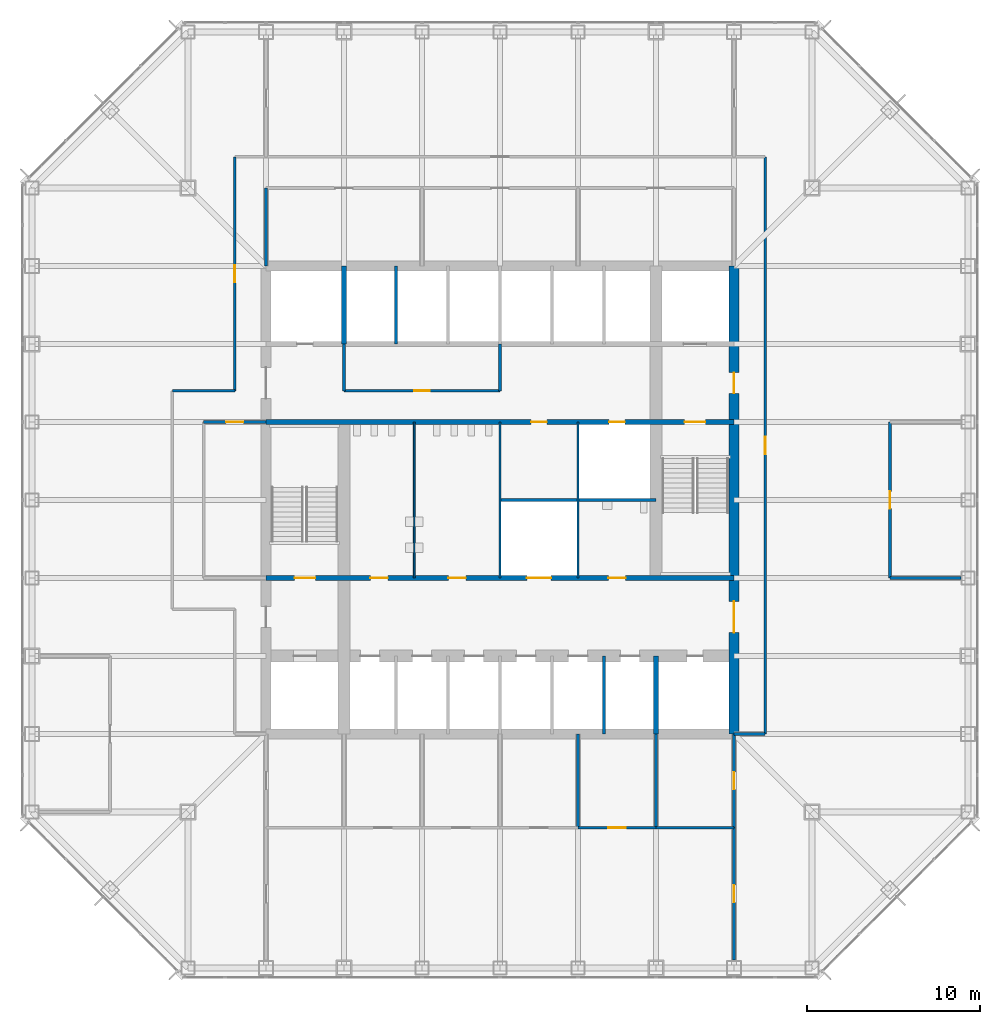
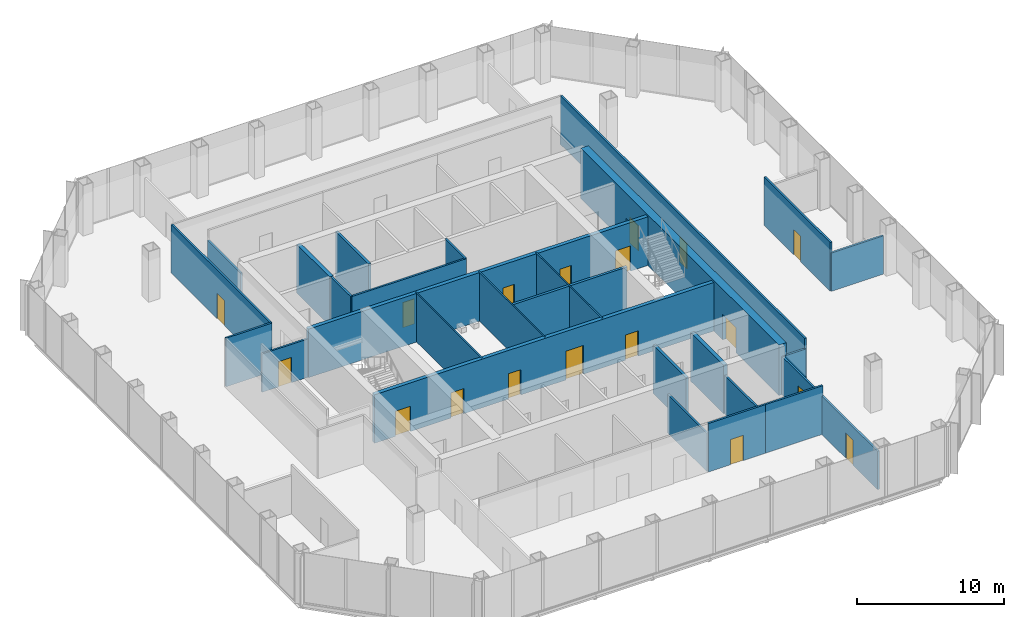
# One storey, part 9 of 12: 28 walls, 18 doors, 18 openings.
"""IFC4 building model written with IfcOpenShell, lengths in metres."""

from ifc_helpers import new_model, si_unit, direction, frame, frame_2d, origin, place, context, subcontext, project, spatial, rectangle, extrude, material, layer, layer_set, type_object, element, fill, save


model = new_model("IFC4")

# Units and contexts
model_context = context("Model", 3, precision=1e-05, world=origin(), true_north=direction((0.0, 1.0)))
body_context = subcontext(model_context, "Body", "Model", "MODEL_VIEW")
ifc_project = project(units=[si_unit("LENGTHUNIT", "METRE"), si_unit("AREAUNIT", "SQUARE_METRE"), si_unit("VOLUMEUNIT", "CUBIC_METRE"), si_unit("PLANEANGLEUNIT", "RADIAN"), si_unit("MASSUNIT", "GRAM", prefix="KILO")], contexts=[model_context])

# Site, building, storey
site_placement = place(None, origin())
site = spatial("IfcSite", under=ifc_project, at=site_placement, CompositionType="ELEMENT")
building_placement = place(site_placement, origin())
building = spatial("IfcBuilding", under=site, at=building_placement, Name="Corais Broadcast Tower", CompositionType="ELEMENT")
storey_placement = place(building_placement, frame((0.0, 0.0, 58.39990234375)))
storey = spatial("IfcBuildingStorey", under=building, at=storey_placement, Name="L12", CompositionType="ELEMENT", Elevation=58.39990234375)

# Walls
ifc_material_1 = material(Name="Concrete blockwork class A, grouted, two-hour", Category="masonry")
ifc_layer_1 = layer(ifc_material_1, 0.300048828125)
ifc_layer_set_1 = layer_set([ifc_layer_1], Name="Concrete blockwork class A, grouted, two-hour")
wall_type_1 = type_object("IfcWallType", Name="Core lobby wall 300", PredefinedType="SOLIDWALL", material=ifc_layer_set_1)
for number, where, z_axis, x_axis, name in (
    (1, (18.0, 36.0, 0.0), (0.0, 0.0, 1.0), (0.0, 1.0, 0.0), "CL1 core shaft wall X18B L12"),
    (2, (36.0, 13.5, 0.0), (0.0, 0.0, 1.0), (0.0, 1.0, 0.0), "CL1 core shaft wall X36A L12"),
):
    element("IfcWall", number, at=place(storey_placement, frame(where, z_axis=z_axis, x_axis=x_axis)), inside=storey, type_object=wall_type_1, Name=name, PredefinedType="SOLIDWALL", context=body_context, shape_type="SweptSolid", body=[
        extrude(rectangle(XDim=4.5, YDim=0.300048828125, at=frame_2d((2.25, 0.0))), origin(), (0.0, 0.0, 1.0), 4.0400390625),
    ])

# Wall, openings, doors
wall_1_placement = place(storey_placement, frame((13.5, 22.5, 0.0), z_axis=(0.0, 0.0, 1.0), x_axis=(1.0, 0.0, 0.0)))
wall_1 = element("IfcWall", 3, at=wall_1_placement, inside=storey, type_object=wall_type_1, Name="CL1 core lobby wall Y225 L12", PredefinedType="SOLIDWALL", context=body_context, shape_type="SweptSolid", body=[
    extrude(rectangle(XDim=27.0, YDim=0.300048828125, at=frame_2d((13.5, 0.0))), origin(), (0.0, 0.0, 1.0), 4.0400390625),
])
opening_1_placement = place(wall_1_placement, frame((1.64990234375, 0.0, 0.0)))
opening_1 = element("IfcOpeningElement", 4, at=opening_1_placement, cuts=wall_1, Name="Opening FD1", PredefinedType="OPENING", context=body_context, shape_type="SweptSolid", body=[
    extrude(rectangle(XDim=1.199951171875, YDim=2.10009765625, at=frame_2d((0.60009765625, 1.050048828125))), frame((0.0, 0.159912109375, 0.0), z_axis=(0.0, -1.0, 0.0), x_axis=(1.0, 0.0, 0.0)), (0.0, 0.0, 1.0), 0.320068359375),
])
opening_2_placement = place(wall_1_placement, frame((6.02490234375, 0.0, 0.0)))
opening_2 = element("IfcOpeningElement", 5, at=opening_2_placement, cuts=wall_1, Name="Opening WD1", PredefinedType="OPENING", context=body_context, shape_type="SweptSolid", body=[
    extrude(rectangle(XDim=1.0, YDim=2.10009765625, at=frame_2d((0.5, 1.050048828125))), frame((0.0, 0.159912109375, 0.0), z_axis=(0.0, -1.0, 0.0), x_axis=(1.0, 0.0, 0.0)), (0.0, 0.0, 1.0), 0.320068359375),
])
opening_3_placement = place(wall_1_placement, frame((10.52490234375, 0.0, 0.0)))
opening_3 = element("IfcOpeningElement", 6, at=opening_3_placement, cuts=wall_1, Name="Opening WD1", PredefinedType="OPENING", context=body_context, shape_type="SweptSolid", body=[
    extrude(rectangle(XDim=1.0, YDim=2.10009765625, at=frame_2d((0.5, 1.050048828125))), frame((0.0, 0.159912109375, 0.0), z_axis=(0.0, -1.0, 0.0), x_axis=(1.0, 0.0, 0.0)), (0.0, 0.0, 1.0), 0.320068359375),
])
opening_4_placement = place(wall_1_placement, frame((19.75, 0.0, 0.0)))
opening_4 = element("IfcOpeningElement", 7, at=opening_4_placement, cuts=wall_1, Name="Opening WD1", PredefinedType="OPENING", context=body_context, shape_type="SweptSolid", body=[
    extrude(rectangle(XDim=1.0, YDim=2.10009765625, at=frame_2d((0.5, 1.050048828125))), frame((0.0, 0.159912109375, 0.0), z_axis=(0.0, -1.0, 0.0), x_axis=(1.0, 0.0, 0.0)), (0.0, 0.0, 1.0), 0.320068359375),
])
opening_5_placement = place(wall_1_placement, frame((15.050048828125, 0.0, 0.0)))
opening_5 = element("IfcOpeningElement", 8, at=opening_5_placement, cuts=wall_1, Name="Opening LD3", PredefinedType="OPENING", context=body_context, shape_type="SweptSolid", body=[
    extrude(rectangle(XDim=1.39990234375, YDim=2.39990234375, at=frame_2d((0.699951171875, 1.199951171875))), frame((0.0, 0.159912109375, 0.0), z_axis=(0.0, -1.0, 0.0), x_axis=(1.0, 0.0, 0.0)), (0.0, 0.0, 1.0), 0.320068359375),
])
ifc_material_2 = material(Name="Steel fire door", Category="steel")
door_type_1 = type_object("IfcDoorType", Name="Fire door 1200x2100", OperationType="SINGLE_SWING_LEFT", PredefinedType="DOOR", material=ifc_material_2)
door_1_placement = place(opening_1_placement, origin())
door_1 = element("IfcDoor", 9, at=door_1_placement, inside=storey, type_object=door_type_1, Name="FD1 stair A door L12", OperationType="SINGLE_SWING_LEFT", OverallHeight=2.10009765625, OverallWidth=1.199951171875, PredefinedType="DOOR", context=body_context, shape_type="SweptSolid", body=[
    extrude(rectangle(XDim=1.199951171875, YDim=2.10009765625, at=frame_2d((0.60009765625, 1.050048828125))), frame((0.0, 0.02490234375, 0.0), z_axis=(0.0, -1.0, 0.0), x_axis=(1.0, 0.0, 0.0)), (0.0, 0.0, 1.0), 0.050048828125),
])
fill(opening_1, door_1)
ifc_material_3 = material(Name="Stainless steel lift door", Category="steel")
door_type_2 = type_object("IfcDoorType", Name="Service lift landing door 1400x2400", OperationType="SLIDING_TO_LEFT", PredefinedType="DOOR", material=ifc_material_3)
door_2_placement = place(opening_5_placement, origin())
door_2 = element("IfcDoor", 10, at=door_2_placement, inside=storey, type_object=door_type_2, Name="LD3 SL1 landing door L12", OperationType="SLIDING_TO_LEFT", OverallHeight=2.39990234375, OverallWidth=1.39990234375, PredefinedType="DOOR", context=body_context, shape_type="SweptSolid", body=[
    extrude(rectangle(XDim=1.39990234375, YDim=2.39990234375, at=frame_2d((0.699951171875, 1.199951171875))), frame((0.0, 0.02490234375, 0.0), z_axis=(0.0, -1.0, 0.0), x_axis=(1.0, 0.0, 0.0)), (0.0, 0.0, 1.0), 0.050048828125),
])
fill(opening_5, door_2)
ifc_material_4 = material(Name="Timber door", Category="wood")
door_type_3 = type_object("IfcDoorType", Name="Toilet door 1000x2100", OperationType="SINGLE_SWING_LEFT", PredefinedType="DOOR", material=ifc_material_4)
door_3_placement = place(opening_2_placement, origin())
door_3 = element("IfcDoor", 11, at=door_3_placement, inside=storey, type_object=door_type_3, Name="WD1 WC male door L12", OperationType="SINGLE_SWING_LEFT", OverallHeight=2.10009765625, OverallWidth=1.0, PredefinedType="DOOR", context=body_context, shape_type="SweptSolid", body=[
    extrude(rectangle(XDim=1.0, YDim=2.10009765625, at=frame_2d((0.5, 1.050048828125))), frame((0.0, 0.02490234375, 0.0), z_axis=(0.0, -1.0, 0.0), x_axis=(1.0, 0.0, 0.0)), (0.0, 0.0, 1.0), 0.050048828125),
])
fill(opening_2, door_3)
door_4_placement = place(opening_3_placement, origin())
door_4 = element("IfcDoor", 12, at=door_4_placement, inside=storey, type_object=door_type_3, Name="WD1 WC female door L12", OperationType="SINGLE_SWING_LEFT", OverallHeight=2.10009765625, OverallWidth=1.0, PredefinedType="DOOR", context=body_context, shape_type="SweptSolid", body=[
    extrude(rectangle(XDim=1.0, YDim=2.10009765625, at=frame_2d((0.5, 1.050048828125))), frame((0.0, 0.02490234375, 0.0), z_axis=(0.0, -1.0, 0.0), x_axis=(1.0, 0.0, 0.0)), (0.0, 0.0, 1.0), 0.050048828125),
])
fill(opening_3, door_4)
door_5_placement = place(opening_4_placement, origin())
door_5 = element("IfcDoor", 13, at=door_5_placement, inside=storey, type_object=door_type_3, Name="WD1 accessible WC door L12", OperationType="SINGLE_SWING_RIGHT", OverallHeight=2.10009765625, OverallWidth=1.0, PredefinedType="DOOR", context=body_context, shape_type="SweptSolid", body=[
    extrude(rectangle(XDim=1.0, YDim=2.10009765625, at=frame_2d((0.5, 1.050048828125))), frame((0.0, 0.02490234375, 0.0), z_axis=(0.0, -1.0, 0.0), x_axis=(1.0, 0.0, 0.0)), (0.0, 0.0, 1.0), 0.050048828125),
])
fill(opening_4, door_5)

wall_2_placement = place(storey_placement, frame((13.5, 31.5, 0.0), z_axis=(0.0, 0.0, 1.0), x_axis=(1.0, 0.0, 0.0)))
wall_2 = element("IfcWall", 14, at=wall_2_placement, inside=storey, type_object=wall_type_1, Name="CL1 core lobby wall Y315 L12", PredefinedType="SOLIDWALL", context=body_context, shape_type="SweptSolid", body=[
    extrude(rectangle(XDim=27.0, YDim=0.300048828125, at=frame_2d((13.5, 0.0))), origin(), (0.0, 0.0, 1.0), 4.0400390625),
])
opening_6_placement = place(wall_2_placement, frame((24.14990234375, 0.0, 0.0)))
opening_6 = element("IfcOpeningElement", 15, at=opening_6_placement, cuts=wall_2, Name="Opening FD1", PredefinedType="OPENING", context=body_context, shape_type="SweptSolid", body=[
    extrude(rectangle(XDim=1.199951171875, YDim=2.10009765625, at=frame_2d((0.60009765625, 1.050048828125))), frame((0.0, 0.159912109375, 0.0), z_axis=(0.0, -1.0, 0.0), x_axis=(1.0, 0.0, 0.0)), (0.0, 0.0, 1.0), 0.320068359375),
])
opening_7_placement = place(wall_2_placement, frame((15.300048828125, 0.0, 0.0)))
opening_7 = element("IfcOpeningElement", 16, at=opening_7_placement, cuts=wall_2, Name="Opening RD1", PredefinedType="OPENING", context=body_context, shape_type="SweptSolid", body=[
    extrude(rectangle(XDim=0.89990234375, YDim=2.10009765625, at=frame_2d((0.449951171875, 1.050048828125))), frame((0.0, 0.159912109375, 0.0), z_axis=(0.0, -1.0, 0.0), x_axis=(1.0, 0.0, 0.0)), (0.0, 0.0, 1.0), 0.320068359375),
])
opening_8_placement = place(wall_2_placement, frame((19.800048828125, 0.0, 0.0)))
opening_8 = element("IfcOpeningElement", 17, at=opening_8_placement, cuts=wall_2, Name="Opening RD1", PredefinedType="OPENING", context=body_context, shape_type="SweptSolid", body=[
    extrude(rectangle(XDim=0.89990234375, YDim=2.10009765625, at=frame_2d((0.449951171875, 1.050048828125))), frame((0.0, 0.159912109375, 0.0), z_axis=(0.0, -1.0, 0.0), x_axis=(1.0, 0.0, 0.0)), (0.0, 0.0, 1.0), 0.320068359375),
])
door_6_placement = place(opening_6_placement, origin())
door_6 = element("IfcDoor", 18, at=door_6_placement, inside=storey, type_object=door_type_1, Name="FD1 stair B door L12", OperationType="SINGLE_SWING_RIGHT", OverallHeight=2.10009765625, OverallWidth=1.199951171875, PredefinedType="DOOR", context=body_context, shape_type="SweptSolid", body=[
    extrude(rectangle(XDim=1.199951171875, YDim=2.10009765625, at=frame_2d((0.60009765625, 1.050048828125))), frame((0.0, 0.02490234375, 0.0), z_axis=(0.0, -1.0, 0.0), x_axis=(1.0, 0.0, 0.0)), (0.0, 0.0, 1.0), 0.050048828125),
])
fill(opening_6, door_6)
ifc_material_5 = material(Name="Steel fire door", Category="steel")
door_type_4 = type_object("IfcDoorType", Name="Riser door 900x2100", OperationType="SINGLE_SWING_LEFT", PredefinedType="DOOR", material=ifc_material_5)
door_7_placement = place(opening_7_placement, origin())
door_7 = element("IfcDoor", 19, at=door_7_placement, inside=storey, type_object=door_type_4, Name="RD1 print room door L12", OperationType="SINGLE_SWING_RIGHT", OverallHeight=2.10009765625, OverallWidth=0.89990234375, PredefinedType="DOOR", context=body_context, shape_type="SweptSolid", body=[
    extrude(rectangle(XDim=0.89990234375, YDim=2.10009765625, at=frame_2d((0.449951171875, 1.050048828125))), frame((0.0, 0.02490234375, 0.0), z_axis=(0.0, -1.0, 0.0), x_axis=(1.0, 0.0, 0.0)), (0.0, 0.0, 1.0), 0.050048828125),
])
fill(opening_7, door_7)
door_8_placement = place(opening_8_placement, origin())
door_8 = element("IfcDoor", 20, at=door_8_placement, inside=storey, type_object=door_type_4, Name="RD1 riser door L12", OperationType="SINGLE_SWING_RIGHT", OverallHeight=2.10009765625, OverallWidth=0.89990234375, PredefinedType="DOOR", context=body_context, shape_type="SweptSolid", body=[
    extrude(rectangle(XDim=0.89990234375, YDim=2.10009765625, at=frame_2d((0.449951171875, 1.050048828125))), frame((0.0, 0.02490234375, 0.0), z_axis=(0.0, -1.0, 0.0), x_axis=(1.0, 0.0, 0.0)), (0.0, 0.0, 1.0), 0.050048828125),
])
fill(opening_8, door_8)

ifc_material_6 = material(Name="Concrete C50/60", Category="concrete")
ifc_layer_2 = layer(ifc_material_6, 0.60009765625)
ifc_layer_set_2 = layer_set([ifc_layer_2], Name="Concrete C50/60")
wall_type_2 = type_object("IfcWallType", Name="Core wall 600", PredefinedType="SHEAR", material=ifc_layer_set_2)
wall_3_placement = place(storey_placement, frame((40.5, 13.5, 0.0), z_axis=(0.0, 0.0, 1.0), x_axis=(0.0, 1.0, 0.0)))
wall_3 = element("IfcWall", 21, at=wall_3_placement, inside=storey, type_object=wall_type_2, Name="CR600 core wall E L12", PredefinedType="SHEAR", context=body_context, shape_type="SweptSolid", body=[
    extrude(rectangle(XDim=27.0, YDim=0.60009765625, at=frame_2d((13.5, 0.0))), origin(), (0.0, 0.0, 1.0), 4.2001953125),
])
opening_9_placement = place(wall_3_placement, frame((5.85009765625, 0.0, 0.0)))
opening_9 = element("IfcOpeningElement", 22, at=opening_9_placement, cuts=wall_3, Name="Opening FD2", PredefinedType="OPENING", context=body_context, shape_type="SweptSolid", body=[
    extrude(rectangle(XDim=1.800048828125, YDim=2.10009765625, at=frame_2d((0.89990234375, 1.050048828125))), frame((0.0, 0.31005859375, 0.0), z_axis=(0.0, -1.0, 0.0), x_axis=(1.0, 0.0, 0.0)), (0.0, 0.0, 1.0), 0.6201171875),
])
opening_10_placement = place(wall_3_placement, frame((19.64990234375, 0.0, 0.0)))
opening_10 = element("IfcOpeningElement", 23, at=opening_10_placement, cuts=wall_3, Name="Opening FD1", PredefinedType="OPENING", context=body_context, shape_type="SweptSolid", body=[
    extrude(rectangle(XDim=1.199951171875, YDim=2.10009765625, at=frame_2d((0.60009765625, 1.050048828125))), frame((0.0, 0.31005859375, 0.0), z_axis=(0.0, -1.0, 0.0), x_axis=(1.0, 0.0, 0.0)), (0.0, 0.0, 1.0), 0.6201171875),
])
door_9_placement = place(opening_10_placement, origin())
door_9 = element("IfcDoor", 24, at=door_9_placement, inside=storey, type_object=door_type_1, Name="FD1 fire lobby B door L12", OperationType="SINGLE_SWING_RIGHT", OverallHeight=2.10009765625, OverallWidth=1.199951171875, PredefinedType="DOOR", context=body_context, shape_type="SweptSolid", body=[
    extrude(rectangle(XDim=1.199951171875, YDim=2.10009765625, at=frame_2d((0.60009765625, 1.050048828125))), frame((0.0, 0.02490234375, 0.0), z_axis=(0.0, -1.0, 0.0), x_axis=(1.0, 0.0, 0.0)), (0.0, 0.0, 1.0), 0.050048828125),
])
fill(opening_10, door_9)
ifc_material_7 = material(Name="Steel fire door", Category="steel")
door_type_5 = type_object("IfcDoorType", Name="Fire door pair 1800x2100", OperationType="DOUBLE_DOOR_SINGLE_SWING", PredefinedType="DOOR", material=ifc_material_7)
door_10_placement = place(opening_9_placement, origin())
door_10 = element("IfcDoor", 25, at=door_10_placement, inside=storey, type_object=door_type_5, Name="FD2 lift lobby door L12", OperationType="SINGLE_SWING_LEFT", OverallHeight=2.10009765625, OverallWidth=1.800048828125, PredefinedType="DOOR", context=body_context, shape_type="SweptSolid", body=[
    extrude(rectangle(XDim=1.800048828125, YDim=2.10009765625, at=frame_2d((0.89990234375, 1.050048828125))), frame((0.0, 0.02490234375, 0.0), z_axis=(0.0, -1.0, 0.0), x_axis=(1.0, 0.0, 0.0)), (0.0, 0.0, 1.0), 0.050048828125),
])
fill(opening_9, door_10)

# Wall, opening, door
ifc_material_8 = material(Name="Two layers of fire-rated gypsum board each side on steel studs", Category="steel")
ifc_layer_3 = layer(ifc_material_8, 0.14990234375)
ifc_layer_set_3 = layer_set([ifc_layer_3], Name="Two layers of fire-rated gypsum board each side on steel studs")
wall_type_3 = type_object("IfcWallType", Name="Fire-rated partition 150 EI 60", PredefinedType="PARTITIONING", material=ifc_layer_set_3)
wall_4_placement = place(storey_placement, frame((18.0, 33.300048828125, 0.0), z_axis=(0.0, 0.0, 1.0), x_axis=(1.0, 0.0, 0.0)))
wall_4 = element("IfcWall", 26, at=wall_4_placement, inside=storey, type_object=wall_type_3, Name="IW7 partition L12", PredefinedType="PARTITIONING", context=body_context, shape_type="SweptSolid", body=[
    extrude(rectangle(XDim=9.0, YDim=0.14990234375, at=frame_2d((4.5, 0.0))), origin(), (0.0, 0.0, 1.0), 4.0400390625),
])
opening_11_placement = place(wall_4_placement, frame((4.050048828125, 0.0, 0.0)))
opening_11 = element("IfcOpeningElement", 27, at=opening_11_placement, cuts=wall_4, Name="Opening RD1", PredefinedType="OPENING", context=body_context, shape_type="SweptSolid", body=[
    extrude(rectangle(XDim=0.89990234375, YDim=2.10009765625, at=frame_2d((0.449951171875, 1.050048828125))), frame((0.0, 0.0849609375, 0.0), z_axis=(0.0, -1.0, 0.0), x_axis=(1.0, 0.0, 0.0)), (0.0, 0.0, 1.0), 0.169921875),
])
door_11_placement = place(opening_11_placement, origin())
door_11 = element("IfcDoor", 28, at=door_11_placement, inside=storey, type_object=door_type_4, Name="RD1 it equipment room door L12", OperationType="SINGLE_SWING_LEFT", OverallHeight=2.10009765625, OverallWidth=0.89990234375, PredefinedType="DOOR", context=body_context, shape_type="SweptSolid", body=[
    extrude(rectangle(XDim=0.89990234375, YDim=2.10009765625, at=frame_2d((0.449951171875, 1.050048828125))), frame((0.0, 0.02490234375, 0.0), z_axis=(0.0, -1.0, 0.0), x_axis=(1.0, 0.0, 0.0)), (0.0, 0.0, 1.0), 0.050048828125),
])
fill(opening_11, door_11)

# Walls
for number, where, z_axis, x_axis, name in (
    (29, (18.0, 33.300048828125, 0.0), (0.0, 0.0, 1.0), (0.0, 1.0, 0.0), "IW7 partition L12"),
    (30, (27.0, 33.300048828125, 0.0), (0.0, 0.0, 1.0), (0.0, 1.0, 0.0), "IW7 partition L12"),
):
    element("IfcWall", number, at=place(storey_placement, frame(where, z_axis=z_axis, x_axis=x_axis)), inside=storey, type_object=wall_type_3, Name=name, PredefinedType="PARTITIONING", context=body_context, shape_type="SweptSolid", body=[
        extrude(rectangle(XDim=2.699951171875, YDim=0.14990234375, at=frame_2d((1.35009765625, 0.0))), origin(), (0.0, 0.0, 1.0), 4.0400390625),
    ])

# Wall, opening, door
ifc_material_9 = material(Name="Gypsum board on steel studs", Category="steel")
ifc_layer_4 = layer(ifc_material_9, 0.14990234375)
ifc_layer_set_4 = layer_set([ifc_layer_4], Name="Gypsum board on steel studs")
wall_type_4 = type_object("IfcWallType", Name="Partition 150", PredefinedType="PARTITIONING", material=ifc_layer_set_4)
wall_5_placement = place(storey_placement, frame((42.300048828125, 13.5, 0.0), z_axis=(0.0, 0.0, 1.0), x_axis=(0.0, 1.0, 0.0)))
wall_5 = element("IfcWall", 31, at=wall_5_placement, inside=storey, type_object=wall_type_4, Name="IW3 corridor wall L12", PredefinedType="PARTITIONING", context=body_context, shape_type="SweptSolid", body=[
    extrude(rectangle(XDim=33.300048828125, YDim=0.14990234375, at=frame_2d((16.64990234375, 0.0))), origin(), (0.0, 0.0, 1.0), 4.0400390625),
])
opening_12_placement = place(wall_5_placement, frame((16.14990234375, 0.0, 0.0)))
opening_12 = element("IfcOpeningElement", 32, at=opening_12_placement, cuts=wall_5, Name="Opening D1", PredefinedType="OPENING", context=body_context, shape_type="SweptSolid", body=[
    extrude(rectangle(XDim=1.0, YDim=2.10009765625, at=frame_2d((0.5, 1.050048828125))), frame((0.0, 0.0849609375, 0.0), z_axis=(0.0, -1.0, 0.0), x_axis=(1.0, 0.0, 0.0)), (0.0, 0.0, 1.0), 0.169921875),
])
ifc_material_10 = material(Name="Timber door", Category="wood")
door_type_6 = type_object("IfcDoorType", Name="Single door 1000x2100", OperationType="SINGLE_SWING_LEFT", PredefinedType="DOOR", material=ifc_material_10)
door_12_placement = place(opening_12_placement, origin())
door_12 = element("IfcDoor", 33, at=door_12_placement, inside=storey, type_object=door_type_6, Name="D1 workplace door L12", OperationType="SINGLE_SWING_LEFT", OverallHeight=2.10009765625, OverallWidth=1.0, PredefinedType="DOOR", context=body_context, shape_type="SweptSolid", body=[
    extrude(rectangle(XDim=1.0, YDim=2.10009765625, at=frame_2d((0.5, 1.050048828125))), frame((0.0, 0.02490234375, 0.0), z_axis=(0.0, -1.0, 0.0), x_axis=(1.0, 0.0, 0.0)), (0.0, 0.0, 1.0), 0.050048828125),
])
fill(opening_12, door_12)

wall_6_placement = place(storey_placement, frame((11.699951171875, 46.800048828125, 0.0), z_axis=(0.0, 0.0, 1.0), x_axis=(0.0, -1.0, 0.0)))
wall_6 = element("IfcWall", 34, at=wall_6_placement, inside=storey, type_object=wall_type_4, Name="IW3 corridor wall L12", PredefinedType="PARTITIONING", context=body_context, shape_type="SweptSolid", body=[
    extrude(rectangle(XDim=13.5, YDim=0.14990234375, at=frame_2d((6.75, 0.0))), origin(), (0.0, 0.0, 1.0), 4.0400390625),
])
opening_13_placement = place(wall_6_placement, frame((6.25, 0.0, 0.0)))
opening_13 = element("IfcOpeningElement", 35, at=opening_13_placement, cuts=wall_6, Name="Opening D1", PredefinedType="OPENING", context=body_context, shape_type="SweptSolid", body=[
    extrude(rectangle(XDim=1.0, YDim=2.10009765625, at=frame_2d((0.5, 1.050048828125))), frame((0.0, 0.0849609375, 0.0), z_axis=(0.0, -1.0, 0.0), x_axis=(1.0, 0.0, 0.0)), (0.0, 0.0, 1.0), 0.169921875),
])
door_13_placement = place(opening_13_placement, origin())
door_13 = element("IfcDoor", 36, at=door_13_placement, inside=storey, type_object=door_type_6, Name="D1 workplace door L12", OperationType="SINGLE_SWING_LEFT", OverallHeight=2.10009765625, OverallWidth=1.0, PredefinedType="DOOR", context=body_context, shape_type="SweptSolid", body=[
    extrude(rectangle(XDim=1.0, YDim=2.10009765625, at=frame_2d((0.5, 1.050048828125))), frame((0.0, 0.02490234375, 0.0), z_axis=(0.0, -1.0, 0.0), x_axis=(1.0, 0.0, 0.0)), (0.0, 0.0, 1.0), 0.050048828125),
])
fill(opening_13, door_13)

# Walls
wall_7_placement = place(storey_placement, frame((11.699951171875, 33.300048828125, 0.0), z_axis=(0.0, 0.0, 1.0), x_axis=(-1.0, 0.0, 0.0)))
element("IfcWall", 37, at=wall_7_placement, inside=storey, type_object=wall_type_4, Name="IW3 corridor wall L12", PredefinedType="PARTITIONING", context=body_context, shape_type="SweptSolid", body=[
    extrude(rectangle(XDim=3.599853515625, YDim=0.14990234375, at=frame_2d((1.7998046875, 0.0))), origin(), (0.0, 0.0, 1.0), 4.0400390625),
])
wall_8_placement = place(storey_placement, frame((40.5, 13.5, 0.0), z_axis=(0.0, 0.0, 1.0), x_axis=(1.0, 0.0, 0.0)))
element("IfcWall", 38, at=wall_8_placement, inside=storey, type_object=wall_type_4, Name="IW3 corridor wall L12", PredefinedType="PARTITIONING", context=body_context, shape_type="SweptSolid", body=[
    extrude(rectangle(XDim=1.800048828125, YDim=0.14990234375, at=frame_2d((0.89990234375, 0.0))), origin(), (0.0, 0.0, 1.0), 3.189208984375),
])
wall_9_placement = place(storey_placement, frame((31.5, 8.10009765625, 0.0), z_axis=(0.0, 0.0, 1.0), x_axis=(0.0, 1.0, 0.0)))
element("IfcWall", 39, at=wall_9_placement, inside=storey, type_object=wall_type_4, Name="IW3 partition L12", PredefinedType="PARTITIONING", context=body_context, shape_type="SweptSolid", body=[
    extrude(rectangle(XDim=5.39990234375, YDim=0.14990234375, at=frame_2d((2.699951171875, 0.0))), origin(), (0.0, 0.0, 1.0), 3.189208984375),
])

# Wall, opening, door
wall_10_placement = place(storey_placement, frame((31.5, 8.10009765625, 0.0), z_axis=(0.0, 0.0, 1.0), x_axis=(1.0, 0.0, 0.0)))
wall_10 = element("IfcWall", 40, at=wall_10_placement, inside=storey, type_object=wall_type_4, Name="IW3 partition L12", PredefinedType="PARTITIONING", context=body_context, shape_type="SweptSolid", body=[
    extrude(rectangle(XDim=4.5, YDim=0.14990234375, at=frame_2d((2.25, 0.0))), origin(), (0.0, 0.0, 1.0), 4.0400390625),
])
opening_14_placement = place(wall_10_placement, frame((1.75, 0.0, 0.0)))
opening_14 = element("IfcOpeningElement", 41, at=opening_14_placement, cuts=wall_10, Name="Opening D1", PredefinedType="OPENING", context=body_context, shape_type="SweptSolid", body=[
    extrude(rectangle(XDim=1.0, YDim=2.10009765625, at=frame_2d((0.5, 1.050048828125))), frame((0.0, 0.0849609375, 0.0), z_axis=(0.0, -1.0, 0.0), x_axis=(1.0, 0.0, 0.0)), (0.0, 0.0, 1.0), 0.169921875),
])
door_14_placement = place(opening_14_placement, origin())
door_14 = element("IfcDoor", 42, at=door_14_placement, inside=storey, type_object=door_type_6, Name="D1 Edit suite door", OperationType="SINGLE_SWING_LEFT", OverallHeight=2.10009765625, OverallWidth=1.0, PredefinedType="DOOR", context=body_context, shape_type="SweptSolid", body=[
    extrude(rectangle(XDim=1.0, YDim=2.10009765625, at=frame_2d((0.5, 1.050048828125))), frame((0.0, 0.02490234375, 0.0), z_axis=(0.0, -1.0, 0.0), x_axis=(1.0, 0.0, 0.0)), (0.0, 0.0, 1.0), 0.050048828125),
])
fill(opening_14, door_14)

# Walls
wall_11_placement = place(storey_placement, frame((36.0, 8.10009765625, 0.0), z_axis=(0.0, 0.0, 1.0), x_axis=(0.0, 1.0, 0.0)))
element("IfcWall", 43, at=wall_11_placement, inside=storey, type_object=wall_type_4, Name="IW3 partition L12", PredefinedType="PARTITIONING", context=body_context, shape_type="SweptSolid", body=[
    extrude(rectangle(XDim=5.39990234375, YDim=0.14990234375, at=frame_2d((2.699951171875, 0.0))), origin(), (0.0, 0.0, 1.0), 3.189208984375),
])
wall_12_placement = place(storey_placement, frame((36.0, 8.10009765625, 0.0), z_axis=(0.0, 0.0, 1.0), x_axis=(1.0, 0.0, 0.0)))
element("IfcWall", 44, at=wall_12_placement, inside=storey, type_object=wall_type_4, Name="IW3 partition L12", PredefinedType="PARTITIONING", context=body_context, shape_type="SweptSolid", body=[
    extrude(rectangle(XDim=4.5, YDim=0.14990234375, at=frame_2d((2.25, 0.0))), origin(), (0.0, 0.0, 1.0), 4.0400390625),
])

# Wall, opening, door
wall_13_placement = place(storey_placement, frame((40.5, 8.10009765625, 0.0), z_axis=(0.0, 0.0, 1.0), x_axis=(0.0, 1.0, 0.0)))
wall_13 = element("IfcWall", 45, at=wall_13_placement, inside=storey, type_object=wall_type_4, Name="IW3 partition L12", PredefinedType="PARTITIONING", context=body_context, shape_type="SweptSolid", body=[
    extrude(rectangle(XDim=5.39990234375, YDim=0.14990234375, at=frame_2d((2.699951171875, 0.0))), origin(), (0.0, 0.0, 1.0), 3.189208984375),
])
opening_15_placement = place(wall_13_placement, frame((2.199951171875, 0.0, 0.0)))
opening_15 = element("IfcOpeningElement", 46, at=opening_15_placement, cuts=wall_13, Name="Opening D1", PredefinedType="OPENING", context=body_context, shape_type="SweptSolid", body=[
    extrude(rectangle(XDim=1.0, YDim=2.10009765625, at=frame_2d((0.5, 1.050048828125))), frame((0.0, 0.0849609375, 0.0), z_axis=(0.0, -1.0, 0.0), x_axis=(1.0, 0.0, 0.0)), (0.0, 0.0, 1.0), 0.169921875),
])
door_15_placement = place(opening_15_placement, origin())
door_15 = element("IfcDoor", 47, at=door_15_placement, inside=storey, type_object=door_type_6, Name="D1 Edit suite door", OperationType="SINGLE_SWING_LEFT", OverallHeight=2.10009765625, OverallWidth=1.0, PredefinedType="DOOR", context=body_context, shape_type="SweptSolid", body=[
    extrude(rectangle(XDim=1.0, YDim=2.10009765625, at=frame_2d((0.5, 1.050048828125))), frame((0.0, 0.02490234375, 0.0), z_axis=(0.0, -1.0, 0.0), x_axis=(1.0, 0.0, 0.0)), (0.0, 0.0, 1.0), 0.050048828125),
])
fill(opening_15, door_15)

# Walls
wall_14_placement = place(storey_placement, frame((13.5, 45.0, 0.0), z_axis=(0.0, 0.0, 1.0), x_axis=(0.0, -1.0, 0.0)))
element("IfcWall", 48, at=wall_14_placement, inside=storey, type_object=wall_type_4, Name="IW3 partition L12", PredefinedType="PARTITIONING", context=body_context, shape_type="SweptSolid", body=[
    extrude(rectangle(XDim=4.5, YDim=0.14990234375, at=frame_2d((2.25, 0.0))), origin(), (0.0, 0.0, 1.0), 3.189208984375),
])
wall_15_placement = place(storey_placement, frame((49.5, 22.5, 0.0), z_axis=(0.0, 0.0, 1.0), x_axis=(1.0, 0.0, 0.0)))
element("IfcWall", 49, at=wall_15_placement, inside=storey, type_object=wall_type_4, Name="IW3 partition L12", PredefinedType="PARTITIONING", context=body_context, shape_type="SweptSolid", body=[
    extrude(rectangle(XDim=4.090087890625, YDim=0.14990234375, at=frame_2d((2.044921875, 0.0))), origin(), (0.0, 0.0, 1.0), 3.189208984375),
])

# Wall, opening, door
wall_16_placement = place(storey_placement, frame((49.5, 31.5, 0.0), z_axis=(0.0, 0.0, 1.0), x_axis=(0.0, -1.0, 0.0)))
wall_16 = element("IfcWall", 50, at=wall_16_placement, inside=storey, type_object=wall_type_4, Name="IW3 partition L12", PredefinedType="PARTITIONING", context=body_context, shape_type="SweptSolid", body=[
    extrude(rectangle(XDim=9.0, YDim=0.14990234375, at=frame_2d((4.5, 0.0))), origin(), (0.0, 0.0, 1.0), 4.0400390625),
])
opening_16_placement = place(wall_16_placement, frame((4.0, 0.0, 0.0)))
opening_16 = element("IfcOpeningElement", 51, at=opening_16_placement, cuts=wall_16, Name="Opening D1", PredefinedType="OPENING", context=body_context, shape_type="SweptSolid", body=[
    extrude(rectangle(XDim=1.0, YDim=2.10009765625, at=frame_2d((0.5, 1.050048828125))), frame((0.0, 0.0849609375, 0.0), z_axis=(0.0, -1.0, 0.0), x_axis=(1.0, 0.0, 0.0)), (0.0, 0.0, 1.0), 0.169921875),
])
door_16_placement = place(opening_16_placement, origin())
door_16 = element("IfcDoor", 52, at=door_16_placement, inside=storey, type_object=door_type_6, Name="D1 Meeting room door", OperationType="SINGLE_SWING_LEFT", OverallHeight=2.10009765625, OverallWidth=1.0, PredefinedType="DOOR", context=body_context, shape_type="SweptSolid", body=[
    extrude(rectangle(XDim=1.0, YDim=2.10009765625, at=frame_2d((0.5, 1.050048828125))), frame((0.0, 0.02490234375, 0.0), z_axis=(0.0, -1.0, 0.0), x_axis=(1.0, 0.0, 0.0)), (0.0, 0.0, 1.0), 0.050048828125),
])
fill(opening_16, door_16)

wall_17_placement = place(storey_placement, frame((13.5, 31.5, 0.0), z_axis=(0.0, 0.0, 1.0), x_axis=(-1.0, 0.0, 0.0)))
wall_17 = element("IfcWall", 53, at=wall_17_placement, inside=storey, type_object=wall_type_4, Name="IW3 partition L12", PredefinedType="PARTITIONING", context=body_context, shape_type="SweptSolid", body=[
    extrude(rectangle(XDim=3.60009765625, YDim=0.14990234375, at=frame_2d((1.800048828125, 0.0))), origin(), (0.0, 0.0, 1.0), 3.189208984375),
])
opening_17_placement = place(wall_17_placement, frame((1.300048828125, 0.0, 0.0)))
opening_17 = element("IfcOpeningElement", 54, at=opening_17_placement, cuts=wall_17, Name="Opening D1", PredefinedType="OPENING", context=body_context, shape_type="SweptSolid", body=[
    extrude(rectangle(XDim=1.0, YDim=2.10009765625, at=frame_2d((0.5, 1.050048828125))), frame((0.0, 0.0849609375, 0.0), z_axis=(0.0, -1.0, 0.0), x_axis=(1.0, 0.0, 0.0)), (0.0, 0.0, 1.0), 0.169921875),
])
door_17_placement = place(opening_17_placement, origin())
door_17 = element("IfcDoor", 55, at=door_17_placement, inside=storey, type_object=door_type_6, Name="D1 Pantry door", OperationType="SINGLE_SWING_LEFT", OverallHeight=2.10009765625, OverallWidth=1.0, PredefinedType="DOOR", context=body_context, shape_type="SweptSolid", body=[
    extrude(rectangle(XDim=1.0, YDim=2.10009765625, at=frame_2d((0.5, 1.050048828125))), frame((0.0, 0.02490234375, 0.0), z_axis=(0.0, -1.0, 0.0), x_axis=(1.0, 0.0, 0.0)), (0.0, 0.0, 1.0), 0.050048828125),
])
fill(opening_17, door_17)

wall_18_placement = place(storey_placement, frame((40.5, 0.445068359375, 0.0), z_axis=(0.0, 0.0, 1.0), x_axis=(0.0, 1.0, 0.0)))
wall_18 = element("IfcWall", 56, at=wall_18_placement, inside=storey, type_object=wall_type_4, Name="IW3 partition L12", PredefinedType="PARTITIONING", context=body_context, shape_type="SweptSolid", body=[
    extrude(rectangle(XDim=7.675048828125, YDim=0.14990234375, at=frame_2d((3.83740234375, 0.0))), origin(), (0.0, 0.0, 1.0), 3.189208984375),
])
opening_18_placement = place(wall_18_placement, frame((3.33740234375, 0.0, 0.0)))
opening_18 = element("IfcOpeningElement", 57, at=opening_18_placement, cuts=wall_18, Name="Opening D1", PredefinedType="OPENING", context=body_context, shape_type="SweptSolid", body=[
    extrude(rectangle(XDim=1.0, YDim=2.10009765625, at=frame_2d((0.5, 1.050048828125))), frame((0.0, 0.0849609375, 0.0), z_axis=(0.0, -1.0, 0.0), x_axis=(1.0, 0.0, 0.0)), (0.0, 0.0, 1.0), 0.169921875),
])
door_18_placement = place(opening_18_placement, origin())
door_18 = element("IfcDoor", 58, at=door_18_placement, inside=storey, type_object=door_type_6, Name="D1 team room door L12", OperationType="SINGLE_SWING_LEFT", OverallHeight=2.10009765625, OverallWidth=1.0, PredefinedType="DOOR", context=body_context, shape_type="SweptSolid", body=[
    extrude(rectangle(XDim=1.0, YDim=2.10009765625, at=frame_2d((0.5, 1.050048828125))), frame((0.0, 0.02490234375, 0.0), z_axis=(0.0, -1.0, 0.0), x_axis=(1.0, 0.0, 0.0)), (0.0, 0.0, 1.0), 0.050048828125),
])
fill(opening_18, door_18)

# Walls
ifc_material_11 = material(Name="Concrete blockwork class A, grouted, two-hour", Category="masonry")
ifc_layer_5 = layer(ifc_material_11, 0.199951171875)
ifc_layer_set_5 = layer_set([ifc_layer_5], Name="Concrete blockwork class A, grouted, two-hour")
wall_type_5 = type_object("IfcWallType", Name="Shaft wall 200", PredefinedType="PARTITIONING", material=ifc_layer_set_5)
for number, where, z_axis, x_axis, name in (
    (59, (21.0, 36.0, 0.0), (0.0, 0.0, 1.0), (0.0, 1.0, 0.0), "IW1 shaft wall L12"),
    (60, (33.0, 13.5, 0.0), (0.0, 0.0, 1.0), (0.0, 1.0, 0.0), "IW1 shaft wall L12"),
):
    element("IfcWall", number, at=place(storey_placement, frame(where, z_axis=z_axis, x_axis=x_axis)), inside=storey, type_object=wall_type_5, Name=name, PredefinedType="PARTITIONING", context=body_context, shape_type="SweptSolid", body=[
        extrude(rectangle(XDim=4.5, YDim=0.199951171875, at=frame_2d((2.25, 0.0))), origin(), (0.0, 0.0, 1.0), 4.0400390625),
    ])
wall_19_placement = place(storey_placement, frame((27.0, 27.0, 0.0), z_axis=(0.0, 0.0, 1.0), x_axis=(1.0, 0.0, 0.0)))
element("IfcWall", 61, at=wall_19_placement, inside=storey, type_object=wall_type_5, Name="IW1 shaft wall L12", PredefinedType="PARTITIONING", context=body_context, shape_type="SweptSolid", body=[
    extrude(rectangle(XDim=9.0, YDim=0.199951171875, at=frame_2d((4.5, 0.0))), origin(), (0.0, 0.0, 1.0), 4.0400390625),
])
ifc_material_12 = material(Name="Dense concrete blockwork class A, tiled both faces", Category="masonry")
ifc_layer_6 = layer(ifc_material_12, 0.10009765625)
ifc_layer_set_6 = layer_set([ifc_layer_6], Name="Dense concrete blockwork class A, tiled both faces")
wall_type_6 = type_object("IfcWallType", Name="Toilet wall 100", PredefinedType="PLUMBINGWALL", material=ifc_layer_set_6)
for number, where, z_axis, x_axis, name in (
    (62, (22.050048828125, 22.5, 0.0), (0.0, 0.0, 1.0), (0.0, 1.0, 0.0), "IW2 toilet wall L12"),
    (63, (27.0, 22.5, 0.0), (0.0, 0.0, 1.0), (0.0, 1.0, 0.0), "IW2 toilet wall L12"),
    (64, (31.5, 22.5, 0.0), (0.0, 0.0, 1.0), (0.0, 1.0, 0.0), "IW2 toilet wall L12"),
):
    element("IfcWall", number, at=place(storey_placement, frame(where, z_axis=z_axis, x_axis=x_axis)), inside=storey, type_object=wall_type_6, Name=name, PredefinedType="PLUMBINGWALL", context=body_context, shape_type="SweptSolid", body=[
        extrude(rectangle(XDim=9.0, YDim=0.10009765625, at=frame_2d((4.5, 0.0))), origin(), (0.0, 0.0, 1.0), 4.0400390625),
    ])

save(model, "model.ifc")
